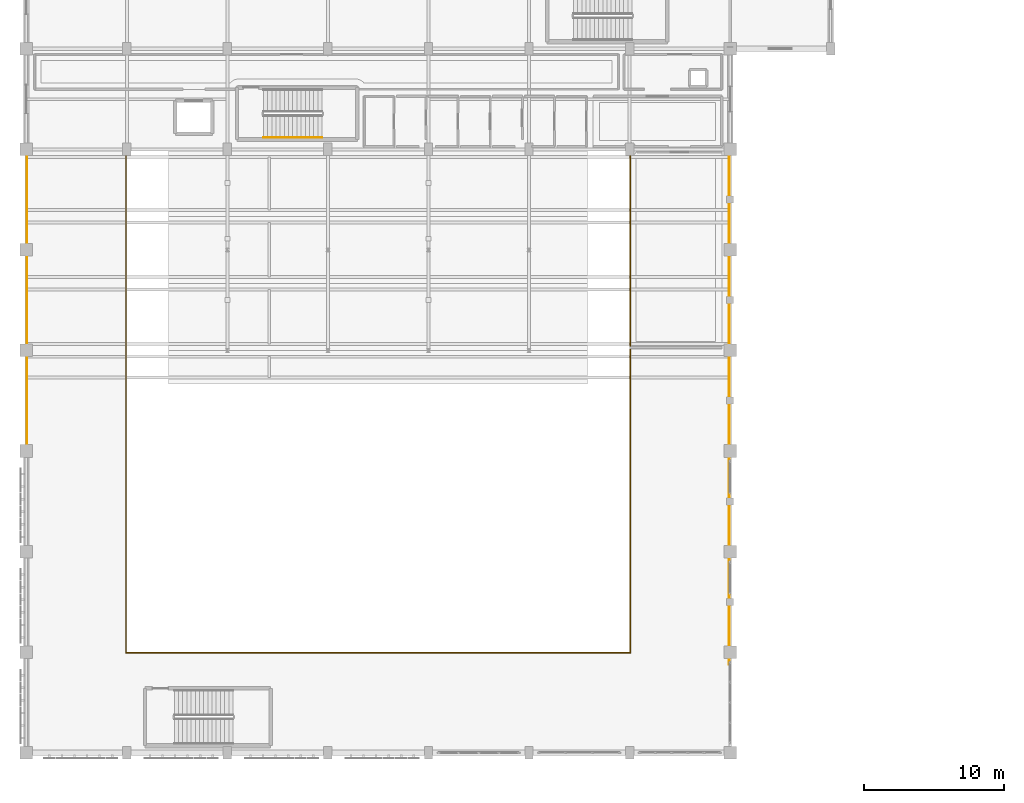
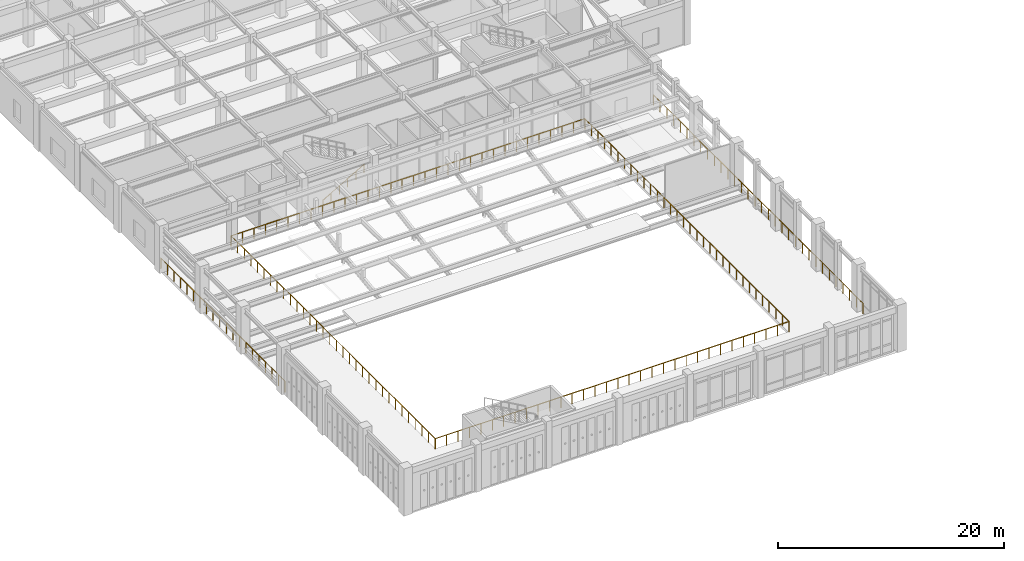
# One storey, part 101 of 117: 5 railings.
"""IFC4 building model written with IfcOpenShell, lengths in metres."""

from ifc_helpers import new_model, si_unit, direction, frame, origin, origin_2d, place, context, subcontext, project, spatial, circle, extrude, material, layer, layer_set, type_object, element, save


model = new_model("IFC4")

# Units and contexts
model_context = context("Model", 3, precision=1e-05, world=origin(), true_north=direction((0.0, 1.0)))
body_context = subcontext(model_context, "Body", "Model", "MODEL_VIEW")
ifc_project = project(units=[si_unit("LENGTHUNIT", "METRE"), si_unit("AREAUNIT", "SQUARE_METRE"), si_unit("VOLUMEUNIT", "CUBIC_METRE"), si_unit("PLANEANGLEUNIT", "RADIAN"), si_unit("MASSUNIT", "GRAM", prefix="KILO")], contexts=[model_context])

# Site, building, storey
site_placement = place(None, origin())
site = spatial("IfcSite", under=ifc_project, at=site_placement, CompositionType="ELEMENT")
building_placement = place(site_placement, origin())
building = spatial("IfcBuilding", under=site, at=building_placement, Name="Carrowvane Square Congress Hotel", CompositionType="ELEMENT")
storey_placement = place(building_placement, frame((0.0, 0.0, 5.39990234375)))
storey = spatial("IfcBuildingStorey", under=building, at=storey_placement, Name="L01", CompositionType="ELEMENT", Elevation=5.39990234375)

# Railings
ifc_material_1 = material(Name="Stainless steel 316", Category="steel")
ifc_layer_1 = layer(ifc_material_1, 0.06494140625)
ifc_layer_set_1 = layer_set([ifc_layer_1], Name="Stainless steel 316")
railing_type_1 = type_object("IfcRailingType", Name="RLG-BAL-STL1150", PredefinedType="BALUSTRADE", material=ifc_layer_set_1)
railing_1_placement = place(storey_placement, frame((11.659912109375, 26.800048828125, 0.0)))
element("IfcRailing", 1, at=railing_1_placement, inside=storey, type_object=railing_type_1, Name="L01 perimeter gallery edge guard RLG-EDGE-L01-V1W", PredefinedType="BALUSTRADE", context=body_context, shape_type="SweptSolid", body=[
    extrude(circle(Radius=0.02392578125, at=origin_2d()), frame((0.0, 0.0, 1.1259765625), z_axis=(0.0, 1.0, 0.0), x_axis=(-1.0, 0.0, 0.0)), (0.0, 0.0, 1.0), 22.0),
    extrude(circle(Radius=0.02099609375, at=origin_2d()), origin(), (0.0, 0.0, 1.0), 1.101806640625),
    extrude(circle(Radius=0.02099609375, at=origin_2d()), frame((0.0, 1.157958984375, 0.0)), (0.0, 0.0, 1.0), 1.101806640625),
    extrude(circle(Radius=0.02099609375, at=origin_2d()), frame((0.0, 2.315673828125, 0.0)), (0.0, 0.0, 1.0), 1.101806640625),
    extrude(circle(Radius=0.02099609375, at=origin_2d()), frame((0.0, 3.4736328125, 0.0)), (0.0, 0.0, 1.0), 1.101806640625),
    extrude(circle(Radius=0.02099609375, at=origin_2d()), frame((0.0, 4.631591796875, 0.0)), (0.0, 0.0, 1.0), 1.101806640625),
    extrude(circle(Radius=0.02099609375, at=origin_2d()), frame((0.0, 5.78955078125, 0.0)), (0.0, 0.0, 1.0), 1.101806640625),
    extrude(circle(Radius=0.02099609375, at=origin_2d()), frame((0.0, 6.947265625, 0.0)), (0.0, 0.0, 1.0), 1.101806640625),
    extrude(circle(Radius=0.02099609375, at=origin_2d()), frame((0.0, 8.105224609375, 0.0)), (0.0, 0.0, 1.0), 1.101806640625),
    extrude(circle(Radius=0.02099609375, at=origin_2d()), frame((0.0, 9.26318359375, 0.0)), (0.0, 0.0, 1.0), 1.101806640625),
    extrude(circle(Radius=0.02099609375, at=origin_2d()), frame((0.0, 10.421142578125, 0.0)), (0.0, 0.0, 1.0), 1.101806640625),
    extrude(circle(Radius=0.02099609375, at=origin_2d()), frame((0.0, 11.578857421875, 0.0)), (0.0, 0.0, 1.0), 1.101806640625),
    extrude(circle(Radius=0.02099609375, at=origin_2d()), frame((0.0, 12.73681640625, 0.0)), (0.0, 0.0, 1.0), 1.101806640625),
    extrude(circle(Radius=0.02099609375, at=origin_2d()), frame((0.0, 13.894775390625, 0.0)), (0.0, 0.0, 1.0), 1.101806640625),
    extrude(circle(Radius=0.02099609375, at=origin_2d()), frame((0.0, 15.052734375, 0.0)), (0.0, 0.0, 1.0), 1.101806640625),
    extrude(circle(Radius=0.02099609375, at=origin_2d()), frame((0.0, 16.21044921875, 0.0)), (0.0, 0.0, 1.0), 1.101806640625),
    extrude(circle(Radius=0.02099609375, at=origin_2d()), frame((0.0, 17.368408203125, 0.0)), (0.0, 0.0, 1.0), 1.101806640625),
    extrude(circle(Radius=0.02099609375, at=origin_2d()), frame((0.0, 18.5263671875, 0.0)), (0.0, 0.0, 1.0), 1.101806640625),
    extrude(circle(Radius=0.02099609375, at=origin_2d()), frame((0.0, 19.684326171875, 0.0)), (0.0, 0.0, 1.0), 1.101806640625),
    extrude(circle(Radius=0.02099609375, at=origin_2d()), frame((0.0, 20.842041015625, 0.0)), (0.0, 0.0, 1.0), 1.101806640625),
    extrude(circle(Radius=0.02099609375, at=origin_2d()), frame((0.0, 22.0, 0.0)), (0.0, 0.0, 1.0), 1.101806640625),
])
railing_2_placement = place(storey_placement, frame((61.93994140625, 11.699951171875, 0.0)))
element("IfcRailing", 2, at=railing_2_placement, inside=storey, type_object=railing_type_1, Name="L01 perimeter gallery edge guard RLG-EDGE-L01-V1E", PredefinedType="BALUSTRADE", context=body_context, shape_type="SweptSolid", body=[
    extrude(circle(Radius=0.02392578125, at=origin_2d()), frame((0.0, 0.0, 1.1259765625), z_axis=(0.0, 1.0, 0.0), x_axis=(-1.0, 0.0, 0.0)), (0.0, 0.0, 1.0), 37.10009765625),
    extrude(circle(Radius=0.02099609375, at=origin_2d()), origin(), (0.0, 0.0, 1.0), 1.101806640625),
    extrude(circle(Radius=0.02099609375, at=origin_2d()), frame((0.0, 1.19677734375, 0.0)), (0.0, 0.0, 1.0), 1.101806640625),
    extrude(circle(Radius=0.02099609375, at=origin_2d()), frame((0.0, 2.3935546875, 0.0)), (0.0, 0.0, 1.0), 1.101806640625),
    extrude(circle(Radius=0.02099609375, at=origin_2d()), frame((0.0, 3.59033203125, 0.0)), (0.0, 0.0, 1.0), 1.101806640625),
    extrude(circle(Radius=0.02099609375, at=origin_2d()), frame((0.0, 4.787109375, 0.0)), (0.0, 0.0, 1.0), 1.101806640625),
    extrude(circle(Radius=0.02099609375, at=origin_2d()), frame((0.0, 5.98388671875, 0.0)), (0.0, 0.0, 1.0), 1.101806640625),
    extrude(circle(Radius=0.02099609375, at=origin_2d()), frame((0.0, 7.1806640625, 0.0)), (0.0, 0.0, 1.0), 1.101806640625),
    extrude(circle(Radius=0.02099609375, at=origin_2d()), frame((0.0, 8.37744140625, 0.0)), (0.0, 0.0, 1.0), 1.101806640625),
    extrude(circle(Radius=0.02099609375, at=origin_2d()), frame((0.0, 9.57421875, 0.0)), (0.0, 0.0, 1.0), 1.101806640625),
    extrude(circle(Radius=0.02099609375, at=origin_2d()), frame((0.0, 10.77099609375, 0.0)), (0.0, 0.0, 1.0), 1.101806640625),
    extrude(circle(Radius=0.02099609375, at=origin_2d()), frame((0.0, 11.9677734375, 0.0)), (0.0, 0.0, 1.0), 1.101806640625),
    extrude(circle(Radius=0.02099609375, at=origin_2d()), frame((0.0, 13.16455078125, 0.0)), (0.0, 0.0, 1.0), 1.101806640625),
    extrude(circle(Radius=0.02099609375, at=origin_2d()), frame((0.0, 14.361328125, 0.0)), (0.0, 0.0, 1.0), 1.101806640625),
    extrude(circle(Radius=0.02099609375, at=origin_2d()), frame((0.0, 15.55810546875, 0.0)), (0.0, 0.0, 1.0), 1.101806640625),
    extrude(circle(Radius=0.02099609375, at=origin_2d()), frame((0.0, 16.7548828125, 0.0)), (0.0, 0.0, 1.0), 1.101806640625),
    extrude(circle(Radius=0.02099609375, at=origin_2d()), frame((0.0, 17.95166015625, 0.0)), (0.0, 0.0, 1.0), 1.101806640625),
    extrude(circle(Radius=0.02099609375, at=origin_2d()), frame((0.0, 19.1484375, 0.0)), (0.0, 0.0, 1.0), 1.101806640625),
    extrude(circle(Radius=0.02099609375, at=origin_2d()), frame((0.0, 20.34521484375, 0.0)), (0.0, 0.0, 1.0), 1.101806640625),
    extrude(circle(Radius=0.02099609375, at=origin_2d()), frame((0.0, 21.5419921875, 0.0)), (0.0, 0.0, 1.0), 1.101806640625),
    extrude(circle(Radius=0.02099609375, at=origin_2d()), frame((0.0, 22.73876953125, 0.0)), (0.0, 0.0, 1.0), 1.101806640625),
    extrude(circle(Radius=0.02099609375, at=origin_2d()), frame((0.0, 23.935546875, 0.0)), (0.0, 0.0, 1.0), 1.101806640625),
    extrude(circle(Radius=0.02099609375, at=origin_2d()), frame((0.0, 25.13232421875, 0.0)), (0.0, 0.0, 1.0), 1.101806640625),
    extrude(circle(Radius=0.02099609375, at=origin_2d()), frame((0.0, 26.3291015625, 0.0)), (0.0, 0.0, 1.0), 1.101806640625),
    extrude(circle(Radius=0.02099609375, at=origin_2d()), frame((0.0, 27.52587890625, 0.0)), (0.0, 0.0, 1.0), 1.101806640625),
    extrude(circle(Radius=0.02099609375, at=origin_2d()), frame((0.0, 28.72265625, 0.0)), (0.0, 0.0, 1.0), 1.101806640625),
    extrude(circle(Radius=0.02099609375, at=origin_2d()), frame((0.0, 29.91943359375, 0.0)), (0.0, 0.0, 1.0), 1.101806640625),
    extrude(circle(Radius=0.02099609375, at=origin_2d()), frame((0.0, 31.1162109375, 0.0)), (0.0, 0.0, 1.0), 1.101806640625),
    extrude(circle(Radius=0.02099609375, at=origin_2d()), frame((0.0, 32.31298828125, 0.0)), (0.0, 0.0, 1.0), 1.101806640625),
    extrude(circle(Radius=0.02099609375, at=origin_2d()), frame((0.0, 33.509765625, 0.0)), (0.0, 0.0, 1.0), 1.101806640625),
    extrude(circle(Radius=0.02099609375, at=origin_2d()), frame((0.0, 34.70654296875, 0.0)), (0.0, 0.0, 1.0), 1.101806640625),
    extrude(circle(Radius=0.02099609375, at=origin_2d()), frame((0.0, 35.9033203125, 0.0)), (0.0, 0.0, 1.0), 1.101806640625),
    extrude(circle(Radius=0.02099609375, at=origin_2d()), frame((0.0, 37.10009765625, 0.0)), (0.0, 0.0, 1.0), 1.101806640625),
])
railing_3_placement = place(storey_placement, frame((18.75, 12.574951171875, 0.0)))
element("IfcRailing", 3, at=railing_3_placement, inside=storey, type_object=railing_type_1, Name="L01 atrium void guard balustrade RLG-VOID-L01-V1 A", PredefinedType="BALUSTRADE", context=body_context, shape_type="SweptSolid", body=[
    extrude(circle(Radius=0.02392578125, at=origin_2d()), frame((0.0, 0.0, 1.1259765625), z_axis=(0.0, -1.0, 0.0), x_axis=(1.0, 0.0, 0.0)), (0.0, 0.0, 1.0), 0.02490234375),
    extrude(circle(Radius=0.02392578125, at=origin_2d()), frame((0.0, -0.02490234375, 1.1259765625), z_axis=(1.0, 0.0, 0.0), x_axis=(0.0, 1.0, 0.0)), (0.0, 0.0, 1.0), 36.10009765625),
    extrude(circle(Radius=0.02392578125, at=origin_2d()), frame((36.10009765625, -0.02490234375, 1.1259765625), z_axis=(0.0, 1.0, 0.0), x_axis=(-1.0, 0.0, 0.0)), (0.0, 0.0, 1.0), 36.074951171875),
    extrude(circle(Radius=0.02099609375, at=origin_2d()), origin(), (0.0, 0.0, 1.0), 1.101806640625),
    extrude(circle(Radius=0.02099609375, at=origin_2d()), frame((0.0, -0.02490234375, 0.0)), (0.0, 0.0, 1.0), 1.101806640625),
    extrude(circle(Radius=0.02099609375, at=origin_2d()), frame((1.16455078125, -0.02490234375, 0.0)), (0.0, 0.0, 1.0), 1.101806640625),
    extrude(circle(Radius=0.02099609375, at=origin_2d()), frame((2.3291015625, -0.02490234375, 0.0)), (0.0, 0.0, 1.0), 1.101806640625),
    extrude(circle(Radius=0.02099609375, at=origin_2d()), frame((3.49365234375, -0.02490234375, 0.0)), (0.0, 0.0, 1.0), 1.101806640625),
    extrude(circle(Radius=0.02099609375, at=origin_2d()), frame((4.657958984375, -0.02490234375, 0.0)), (0.0, 0.0, 1.0), 1.101806640625),
    extrude(circle(Radius=0.02099609375, at=origin_2d()), frame((5.822509765625, -0.02490234375, 0.0)), (0.0, 0.0, 1.0), 1.101806640625),
    extrude(circle(Radius=0.02099609375, at=origin_2d()), frame((6.987060546875, -0.02490234375, 0.0)), (0.0, 0.0, 1.0), 1.101806640625),
    extrude(circle(Radius=0.02099609375, at=origin_2d()), frame((8.151611328125, -0.02490234375, 0.0)), (0.0, 0.0, 1.0), 1.101806640625),
    extrude(circle(Radius=0.02099609375, at=origin_2d()), frame((9.316162109375, -0.02490234375, 0.0)), (0.0, 0.0, 1.0), 1.101806640625),
    extrude(circle(Radius=0.02099609375, at=origin_2d()), frame((10.480712890625, -0.02490234375, 0.0)), (0.0, 0.0, 1.0), 1.101806640625),
    extrude(circle(Radius=0.02099609375, at=origin_2d()), frame((11.645263671875, -0.02490234375, 0.0)), (0.0, 0.0, 1.0), 1.101806640625),
    extrude(circle(Radius=0.02099609375, at=origin_2d()), frame((12.809814453125, -0.02490234375, 0.0)), (0.0, 0.0, 1.0), 1.101806640625),
    extrude(circle(Radius=0.02099609375, at=origin_2d()), frame((13.97412109375, -0.02490234375, 0.0)), (0.0, 0.0, 1.0), 1.101806640625),
    extrude(circle(Radius=0.02099609375, at=origin_2d()), frame((15.138671875, -0.02490234375, 0.0)), (0.0, 0.0, 1.0), 1.101806640625),
    extrude(circle(Radius=0.02099609375, at=origin_2d()), frame((16.30322265625, -0.02490234375, 0.0)), (0.0, 0.0, 1.0), 1.101806640625),
    extrude(circle(Radius=0.02099609375, at=origin_2d()), frame((17.4677734375, -0.02490234375, 0.0)), (0.0, 0.0, 1.0), 1.101806640625),
    extrude(circle(Radius=0.02099609375, at=origin_2d()), frame((18.63232421875, -0.02490234375, 0.0)), (0.0, 0.0, 1.0), 1.101806640625),
    extrude(circle(Radius=0.02099609375, at=origin_2d()), frame((19.796875, -0.02490234375, 0.0)), (0.0, 0.0, 1.0), 1.101806640625),
    extrude(circle(Radius=0.02099609375, at=origin_2d()), frame((20.96142578125, -0.02490234375, 0.0)), (0.0, 0.0, 1.0), 1.101806640625),
    extrude(circle(Radius=0.02099609375, at=origin_2d()), frame((22.1259765625, -0.02490234375, 0.0)), (0.0, 0.0, 1.0), 1.101806640625),
    extrude(circle(Radius=0.02099609375, at=origin_2d()), frame((23.290283203125, -0.02490234375, 0.0)), (0.0, 0.0, 1.0), 1.101806640625),
    extrude(circle(Radius=0.02099609375, at=origin_2d()), frame((24.454833984375, -0.02490234375, 0.0)), (0.0, 0.0, 1.0), 1.101806640625),
    extrude(circle(Radius=0.02099609375, at=origin_2d()), frame((25.619384765625, -0.02490234375, 0.0)), (0.0, 0.0, 1.0), 1.101806640625),
    extrude(circle(Radius=0.02099609375, at=origin_2d()), frame((26.783935546875, -0.02490234375, 0.0)), (0.0, 0.0, 1.0), 1.101806640625),
    extrude(circle(Radius=0.02099609375, at=origin_2d()), frame((27.948486328125, -0.02490234375, 0.0)), (0.0, 0.0, 1.0), 1.101806640625),
    extrude(circle(Radius=0.02099609375, at=origin_2d()), frame((29.113037109375, -0.02490234375, 0.0)), (0.0, 0.0, 1.0), 1.101806640625),
    extrude(circle(Radius=0.02099609375, at=origin_2d()), frame((30.277587890625, -0.02490234375, 0.0)), (0.0, 0.0, 1.0), 1.101806640625),
    extrude(circle(Radius=0.02099609375, at=origin_2d()), frame((31.442138671875, -0.02490234375, 0.0)), (0.0, 0.0, 1.0), 1.101806640625),
    extrude(circle(Radius=0.02099609375, at=origin_2d()), frame((32.6064453125, -0.02490234375, 0.0)), (0.0, 0.0, 1.0), 1.101806640625),
    extrude(circle(Radius=0.02099609375, at=origin_2d()), frame((33.77099609375, -0.02490234375, 0.0)), (0.0, 0.0, 1.0), 1.101806640625),
    extrude(circle(Radius=0.02099609375, at=origin_2d()), frame((34.935546875, -0.02490234375, 0.0)), (0.0, 0.0, 1.0), 1.101806640625),
    extrude(circle(Radius=0.02099609375, at=origin_2d()), frame((36.10009765625, -0.02490234375, 0.0)), (0.0, 0.0, 1.0), 1.101806640625),
    extrude(circle(Radius=0.02099609375, at=origin_2d()), frame((36.10009765625, 1.138916015625, 0.0)), (0.0, 0.0, 1.0), 1.101806640625),
    extrude(circle(Radius=0.02099609375, at=origin_2d()), frame((36.10009765625, 2.302490234375, 0.0)), (0.0, 0.0, 1.0), 1.101806640625),
    extrude(circle(Radius=0.02099609375, at=origin_2d()), frame((36.10009765625, 3.46630859375, 0.0)), (0.0, 0.0, 1.0), 1.101806640625),
    extrude(circle(Radius=0.02099609375, at=origin_2d()), frame((36.10009765625, 4.6298828125, 0.0)), (0.0, 0.0, 1.0), 1.101806640625),
    extrude(circle(Radius=0.02099609375, at=origin_2d()), frame((36.10009765625, 5.793701171875, 0.0)), (0.0, 0.0, 1.0), 1.101806640625),
    extrude(circle(Radius=0.02099609375, at=origin_2d()), frame((36.10009765625, 6.957275390625, 0.0)), (0.0, 0.0, 1.0), 1.101806640625),
    extrude(circle(Radius=0.02099609375, at=origin_2d()), frame((36.10009765625, 8.12109375, 0.0)), (0.0, 0.0, 1.0), 1.101806640625),
    extrude(circle(Radius=0.02099609375, at=origin_2d()), frame((36.10009765625, 9.28466796875, 0.0)), (0.0, 0.0, 1.0), 1.101806640625),
    extrude(circle(Radius=0.02099609375, at=origin_2d()), frame((36.10009765625, 10.448486328125, 0.0)), (0.0, 0.0, 1.0), 1.101806640625),
    extrude(circle(Radius=0.02099609375, at=origin_2d()), frame((36.10009765625, 11.612060546875, 0.0)), (0.0, 0.0, 1.0), 1.101806640625),
    extrude(circle(Radius=0.02099609375, at=origin_2d()), frame((36.10009765625, 12.77587890625, 0.0)), (0.0, 0.0, 1.0), 1.101806640625),
    extrude(circle(Radius=0.02099609375, at=origin_2d()), frame((36.10009765625, 13.939697265625, 0.0)), (0.0, 0.0, 1.0), 1.101806640625),
    extrude(circle(Radius=0.02099609375, at=origin_2d()), frame((36.10009765625, 15.103271484375, 0.0)), (0.0, 0.0, 1.0), 1.101806640625),
    extrude(circle(Radius=0.02099609375, at=origin_2d()), frame((36.10009765625, 16.26708984375, 0.0)), (0.0, 0.0, 1.0), 1.101806640625),
    extrude(circle(Radius=0.02099609375, at=origin_2d()), frame((36.10009765625, 17.4306640625, 0.0)), (0.0, 0.0, 1.0), 1.101806640625),
    extrude(circle(Radius=0.02099609375, at=origin_2d()), frame((36.10009765625, 18.594482421875, 0.0)), (0.0, 0.0, 1.0), 1.101806640625),
    extrude(circle(Radius=0.02099609375, at=origin_2d()), frame((36.10009765625, 19.758056640625, 0.0)), (0.0, 0.0, 1.0), 1.101806640625),
    extrude(circle(Radius=0.02099609375, at=origin_2d()), frame((36.10009765625, 20.921875, 0.0)), (0.0, 0.0, 1.0), 1.101806640625),
    extrude(circle(Radius=0.02099609375, at=origin_2d()), frame((36.10009765625, 22.08544921875, 0.0)), (0.0, 0.0, 1.0), 1.101806640625),
    extrude(circle(Radius=0.02099609375, at=origin_2d()), frame((36.10009765625, 23.249267578125, 0.0)), (0.0, 0.0, 1.0), 1.101806640625),
    extrude(circle(Radius=0.02099609375, at=origin_2d()), frame((36.10009765625, 24.4130859375, 0.0)), (0.0, 0.0, 1.0), 1.101806640625),
    extrude(circle(Radius=0.02099609375, at=origin_2d()), frame((36.10009765625, 25.57666015625, 0.0)), (0.0, 0.0, 1.0), 1.101806640625),
    extrude(circle(Radius=0.02099609375, at=origin_2d()), frame((36.10009765625, 26.740478515625, 0.0)), (0.0, 0.0, 1.0), 1.101806640625),
    extrude(circle(Radius=0.02099609375, at=origin_2d()), frame((36.10009765625, 27.904052734375, 0.0)), (0.0, 0.0, 1.0), 1.101806640625),
    extrude(circle(Radius=0.02099609375, at=origin_2d()), frame((36.10009765625, 29.06787109375, 0.0)), (0.0, 0.0, 1.0), 1.101806640625),
    extrude(circle(Radius=0.02099609375, at=origin_2d()), frame((36.10009765625, 30.2314453125, 0.0)), (0.0, 0.0, 1.0), 1.101806640625),
    extrude(circle(Radius=0.02099609375, at=origin_2d()), frame((36.10009765625, 31.395263671875, 0.0)), (0.0, 0.0, 1.0), 1.101806640625),
    extrude(circle(Radius=0.02099609375, at=origin_2d()), frame((36.10009765625, 32.558837890625, 0.0)), (0.0, 0.0, 1.0), 1.101806640625),
    extrude(circle(Radius=0.02099609375, at=origin_2d()), frame((36.10009765625, 33.72265625, 0.0)), (0.0, 0.0, 1.0), 1.101806640625),
    extrude(circle(Radius=0.02099609375, at=origin_2d()), frame((36.10009765625, 34.88623046875, 0.0)), (0.0, 0.0, 1.0), 1.101806640625),
    extrude(circle(Radius=0.02099609375, at=origin_2d()), frame((36.10009765625, 36.050048828125, 0.0)), (0.0, 0.0, 1.0), 1.101806640625),
])
railing_4_placement = place(storey_placement, frame((54.85009765625, 48.64990234375, 0.0)))
element("IfcRailing", 4, at=railing_4_placement, inside=storey, type_object=railing_type_1, Name="L01 atrium void guard balustrade RLG-VOID-L01-V1 B", PredefinedType="BALUSTRADE", context=body_context, shape_type="SweptSolid", body=[
    extrude(circle(Radius=0.02392578125, at=origin_2d()), frame((0.0, 0.0, 1.1259765625), z_axis=(-1.0, 0.0, 0.0), x_axis=(0.0, -1.0, 0.0)), (0.0, 0.0, 1.0), 36.10009765625),
    extrude(circle(Radius=0.02392578125, at=origin_2d()), frame((-36.10009765625, 0.0, 1.1259765625), z_axis=(0.0, -1.0, 0.0), x_axis=(1.0, 0.0, 0.0)), (0.0, 0.0, 1.0), 36.044921875),
    extrude(circle(Radius=0.02099609375, at=origin_2d()), origin(), (0.0, 0.0, 1.0), 1.101806640625),
    extrude(circle(Radius=0.02099609375, at=origin_2d()), frame((-1.16455078125, 0.0, 0.0)), (0.0, 0.0, 1.0), 1.101806640625),
    extrude(circle(Radius=0.02099609375, at=origin_2d()), frame((-2.3291015625, 0.0, 0.0)), (0.0, 0.0, 1.0), 1.101806640625),
    extrude(circle(Radius=0.02099609375, at=origin_2d()), frame((-3.49365234375, 0.0, 0.0)), (0.0, 0.0, 1.0), 1.101806640625),
    extrude(circle(Radius=0.02099609375, at=origin_2d()), frame((-4.657958984375, 0.0, 0.0)), (0.0, 0.0, 1.0), 1.101806640625),
    extrude(circle(Radius=0.02099609375, at=origin_2d()), frame((-5.822509765625, 0.0, 0.0)), (0.0, 0.0, 1.0), 1.101806640625),
    extrude(circle(Radius=0.02099609375, at=origin_2d()), frame((-6.987060546875, 0.0, 0.0)), (0.0, 0.0, 1.0), 1.101806640625),
    extrude(circle(Radius=0.02099609375, at=origin_2d()), frame((-8.151611328125, 0.0, 0.0)), (0.0, 0.0, 1.0), 1.101806640625),
    extrude(circle(Radius=0.02099609375, at=origin_2d()), frame((-9.316162109375, 0.0, 0.0)), (0.0, 0.0, 1.0), 1.101806640625),
    extrude(circle(Radius=0.02099609375, at=origin_2d()), frame((-10.480712890625, 0.0, 0.0)), (0.0, 0.0, 1.0), 1.101806640625),
    extrude(circle(Radius=0.02099609375, at=origin_2d()), frame((-11.645263671875, 0.0, 0.0)), (0.0, 0.0, 1.0), 1.101806640625),
    extrude(circle(Radius=0.02099609375, at=origin_2d()), frame((-12.809814453125, 0.0, 0.0)), (0.0, 0.0, 1.0), 1.101806640625),
    extrude(circle(Radius=0.02099609375, at=origin_2d()), frame((-13.97412109375, 0.0, 0.0)), (0.0, 0.0, 1.0), 1.101806640625),
    extrude(circle(Radius=0.02099609375, at=origin_2d()), frame((-15.138671875, 0.0, 0.0)), (0.0, 0.0, 1.0), 1.101806640625),
    extrude(circle(Radius=0.02099609375, at=origin_2d()), frame((-16.30322265625, 0.0, 0.0)), (0.0, 0.0, 1.0), 1.101806640625),
    extrude(circle(Radius=0.02099609375, at=origin_2d()), frame((-17.4677734375, 0.0, 0.0)), (0.0, 0.0, 1.0), 1.101806640625),
    extrude(circle(Radius=0.02099609375, at=origin_2d()), frame((-18.63232421875, 0.0, 0.0)), (0.0, 0.0, 1.0), 1.101806640625),
    extrude(circle(Radius=0.02099609375, at=origin_2d()), frame((-19.796875, 0.0, 0.0)), (0.0, 0.0, 1.0), 1.101806640625),
    extrude(circle(Radius=0.02099609375, at=origin_2d()), frame((-20.96142578125, 0.0, 0.0)), (0.0, 0.0, 1.0), 1.101806640625),
    extrude(circle(Radius=0.02099609375, at=origin_2d()), frame((-22.1259765625, 0.0, 0.0)), (0.0, 0.0, 1.0), 1.101806640625),
    extrude(circle(Radius=0.02099609375, at=origin_2d()), frame((-23.290283203125, 0.0, 0.0)), (0.0, 0.0, 1.0), 1.101806640625),
    extrude(circle(Radius=0.02099609375, at=origin_2d()), frame((-24.454833984375, 0.0, 0.0)), (0.0, 0.0, 1.0), 1.101806640625),
    extrude(circle(Radius=0.02099609375, at=origin_2d()), frame((-25.619384765625, 0.0, 0.0)), (0.0, 0.0, 1.0), 1.101806640625),
    extrude(circle(Radius=0.02099609375, at=origin_2d()), frame((-26.783935546875, 0.0, 0.0)), (0.0, 0.0, 1.0), 1.101806640625),
    extrude(circle(Radius=0.02099609375, at=origin_2d()), frame((-27.948486328125, 0.0, 0.0)), (0.0, 0.0, 1.0), 1.101806640625),
    extrude(circle(Radius=0.02099609375, at=origin_2d()), frame((-29.113037109375, 0.0, 0.0)), (0.0, 0.0, 1.0), 1.101806640625),
    extrude(circle(Radius=0.02099609375, at=origin_2d()), frame((-30.277587890625, 0.0, 0.0)), (0.0, 0.0, 1.0), 1.101806640625),
    extrude(circle(Radius=0.02099609375, at=origin_2d()), frame((-31.442138671875, 0.0, 0.0)), (0.0, 0.0, 1.0), 1.101806640625),
    extrude(circle(Radius=0.02099609375, at=origin_2d()), frame((-32.6064453125, 0.0, 0.0)), (0.0, 0.0, 1.0), 1.101806640625),
    extrude(circle(Radius=0.02099609375, at=origin_2d()), frame((-33.77099609375, 0.0, 0.0)), (0.0, 0.0, 1.0), 1.101806640625),
    extrude(circle(Radius=0.02099609375, at=origin_2d()), frame((-34.935546875, 0.0, 0.0)), (0.0, 0.0, 1.0), 1.101806640625),
    extrude(circle(Radius=0.02099609375, at=origin_2d()), frame((-36.10009765625, 0.0, 0.0)), (0.0, 0.0, 1.0), 1.101806640625),
    extrude(circle(Radius=0.02099609375, at=origin_2d()), frame((-36.10009765625, -1.162841796875, 0.0)), (0.0, 0.0, 1.0), 1.101806640625),
    extrude(circle(Radius=0.02099609375, at=origin_2d()), frame((-36.10009765625, -2.325439453125, 0.0)), (0.0, 0.0, 1.0), 1.101806640625),
    extrude(circle(Radius=0.02099609375, at=origin_2d()), frame((-36.10009765625, -3.48828125, 0.0)), (0.0, 0.0, 1.0), 1.101806640625),
    extrude(circle(Radius=0.02099609375, at=origin_2d()), frame((-36.10009765625, -4.65087890625, 0.0)), (0.0, 0.0, 1.0), 1.101806640625),
    extrude(circle(Radius=0.02099609375, at=origin_2d()), frame((-36.10009765625, -5.813720703125, 0.0)), (0.0, 0.0, 1.0), 1.101806640625),
    extrude(circle(Radius=0.02099609375, at=origin_2d()), frame((-36.10009765625, -6.976318359375, 0.0)), (0.0, 0.0, 1.0), 1.101806640625),
    extrude(circle(Radius=0.02099609375, at=origin_2d()), frame((-36.10009765625, -8.13916015625, 0.0)), (0.0, 0.0, 1.0), 1.101806640625),
    extrude(circle(Radius=0.02099609375, at=origin_2d()), frame((-36.10009765625, -9.302001953125, 0.0)), (0.0, 0.0, 1.0), 1.101806640625),
    extrude(circle(Radius=0.02099609375, at=origin_2d()), frame((-36.10009765625, -10.464599609375, 0.0)), (0.0, 0.0, 1.0), 1.101806640625),
    extrude(circle(Radius=0.02099609375, at=origin_2d()), frame((-36.10009765625, -11.62744140625, 0.0)), (0.0, 0.0, 1.0), 1.101806640625),
    extrude(circle(Radius=0.02099609375, at=origin_2d()), frame((-36.10009765625, -12.7900390625, 0.0)), (0.0, 0.0, 1.0), 1.101806640625),
    extrude(circle(Radius=0.02099609375, at=origin_2d()), frame((-36.10009765625, -13.952880859375, 0.0)), (0.0, 0.0, 1.0), 1.101806640625),
    extrude(circle(Radius=0.02099609375, at=origin_2d()), frame((-36.10009765625, -15.11572265625, 0.0)), (0.0, 0.0, 1.0), 1.101806640625),
    extrude(circle(Radius=0.02099609375, at=origin_2d()), frame((-36.10009765625, -16.2783203125, 0.0)), (0.0, 0.0, 1.0), 1.101806640625),
    extrude(circle(Radius=0.02099609375, at=origin_2d()), frame((-36.10009765625, -17.441162109375, 0.0)), (0.0, 0.0, 1.0), 1.101806640625),
    extrude(circle(Radius=0.02099609375, at=origin_2d()), frame((-36.10009765625, -18.603759765625, 0.0)), (0.0, 0.0, 1.0), 1.101806640625),
    extrude(circle(Radius=0.02099609375, at=origin_2d()), frame((-36.10009765625, -19.7666015625, 0.0)), (0.0, 0.0, 1.0), 1.101806640625),
    extrude(circle(Radius=0.02099609375, at=origin_2d()), frame((-36.10009765625, -20.92919921875, 0.0)), (0.0, 0.0, 1.0), 1.101806640625),
    extrude(circle(Radius=0.02099609375, at=origin_2d()), frame((-36.10009765625, -22.092041015625, 0.0)), (0.0, 0.0, 1.0), 1.101806640625),
    extrude(circle(Radius=0.02099609375, at=origin_2d()), frame((-36.10009765625, -23.2548828125, 0.0)), (0.0, 0.0, 1.0), 1.101806640625),
    extrude(circle(Radius=0.02099609375, at=origin_2d()), frame((-36.10009765625, -24.41748046875, 0.0)), (0.0, 0.0, 1.0), 1.101806640625),
    extrude(circle(Radius=0.02099609375, at=origin_2d()), frame((-36.10009765625, -25.580322265625, 0.0)), (0.0, 0.0, 1.0), 1.101806640625),
    extrude(circle(Radius=0.02099609375, at=origin_2d()), frame((-36.10009765625, -26.742919921875, 0.0)), (0.0, 0.0, 1.0), 1.101806640625),
    extrude(circle(Radius=0.02099609375, at=origin_2d()), frame((-36.10009765625, -27.90576171875, 0.0)), (0.0, 0.0, 1.0), 1.101806640625),
    extrude(circle(Radius=0.02099609375, at=origin_2d()), frame((-36.10009765625, -29.068603515625, 0.0)), (0.0, 0.0, 1.0), 1.101806640625),
    extrude(circle(Radius=0.02099609375, at=origin_2d()), frame((-36.10009765625, -30.231201171875, 0.0)), (0.0, 0.0, 1.0), 1.101806640625),
    extrude(circle(Radius=0.02099609375, at=origin_2d()), frame((-36.10009765625, -31.39404296875, 0.0)), (0.0, 0.0, 1.0), 1.101806640625),
    extrude(circle(Radius=0.02099609375, at=origin_2d()), frame((-36.10009765625, -32.556640625, 0.0)), (0.0, 0.0, 1.0), 1.101806640625),
    extrude(circle(Radius=0.02099609375, at=origin_2d()), frame((-36.10009765625, -33.719482421875, 0.0)), (0.0, 0.0, 1.0), 1.101806640625),
    extrude(circle(Radius=0.02099609375, at=origin_2d()), frame((-36.10009765625, -34.882080078125, 0.0)), (0.0, 0.0, 1.0), 1.101806640625),
    extrude(circle(Radius=0.02099609375, at=origin_2d()), frame((-36.10009765625, -36.044921875, 0.0)), (0.0, 0.0, 1.0), 1.101806640625),
])
ifc_material_2 = material(Name="Stainless steel 316", Category="steel")
ifc_layer_2 = layer(ifc_material_2, 0.048095703125)
ifc_layer_set_2 = layer_set([ifc_layer_2], Name="Stainless steel 316")
railing_type_2 = type_object("IfcRailingType", Name="RLG-HR-900", PredefinedType="HANDRAIL", material=ifc_layer_set_2)
railing_5_placement = place(storey_placement, frame((28.580078125, 49.449951171875, 0.170166015625)))
element("IfcRailing", 5, at=railing_5_placement, inside=storey, type_object=railing_type_2, Name="L01 ST6 stair handrail 1", PredefinedType="HANDRAIL", context=body_context, shape_type="SweptSolid", body=[
    extrude(circle(Radius=0.02392578125, at=origin_2d()), frame((0.0, 0.0, 0.8759765625), z_axis=(0.870030139814, 0.0, 0.492998535308), x_axis=(0.0, 1.0, 0.0)), (0.0, 0.0, 1.0), 4.827392578125),
    extrude(circle(Radius=0.02099609375, at=origin_2d()), origin(), (0.0, 0.0, 1.0), 0.851806640625),
    extrude(circle(Radius=0.02099609375, at=origin_2d()), frame((0.840087890625, 0.0, 0.47607421875)), (0.0, 0.0, 1.0), 0.851806640625),
    extrude(circle(Radius=0.02099609375, at=origin_2d()), frame((1.679931640625, 0.0, 0.951904296875)), (0.0, 0.0, 1.0), 0.851806640625),
    extrude(circle(Radius=0.02099609375, at=origin_2d()), frame((2.52001953125, 0.0, 1.427978515625)), (0.0, 0.0, 1.0), 0.851806640625),
    extrude(circle(Radius=0.02099609375, at=origin_2d()), frame((3.35986328125, 0.0, 1.90380859375)), (0.0, 0.0, 1.0), 0.851806640625),
    extrude(circle(Radius=0.02099609375, at=origin_2d()), frame((4.199951171875, 0.0, 2.3798828125)), (0.0, 0.0, 1.0), 0.851806640625),
])

save(model, "model.ifc")
